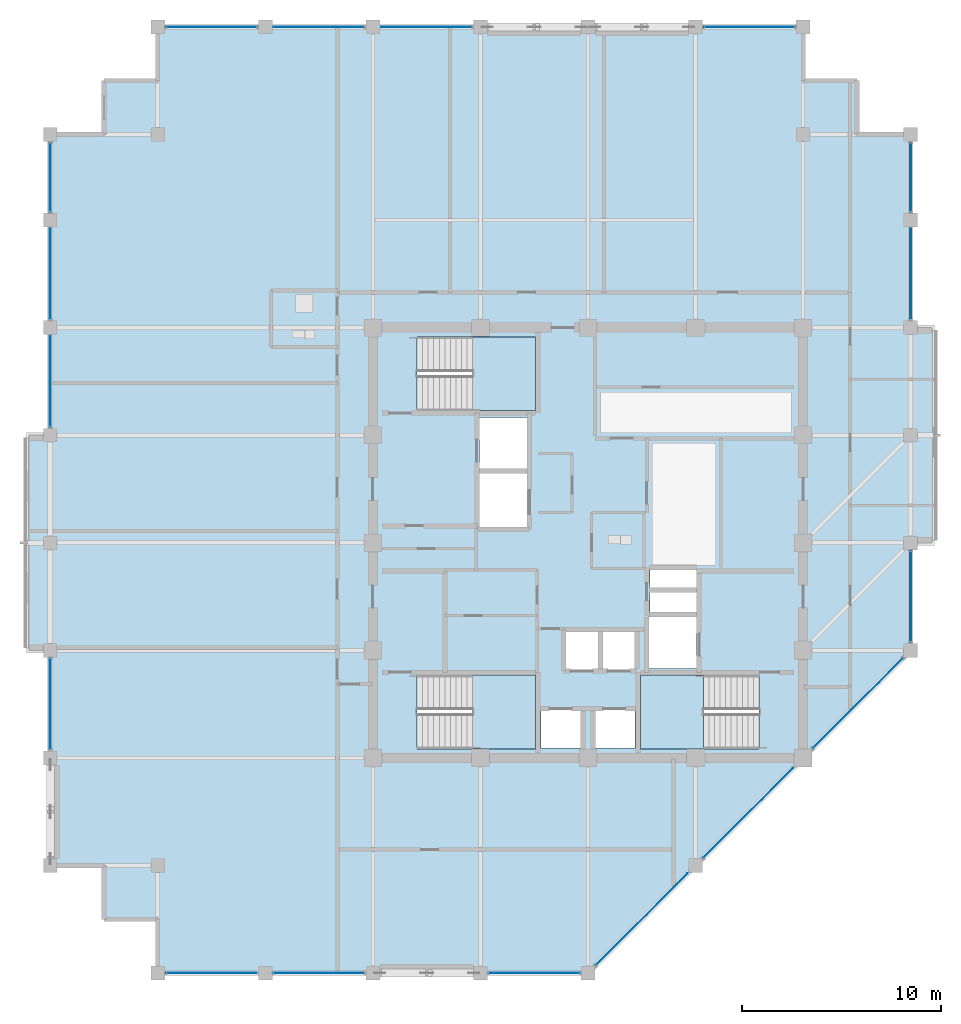
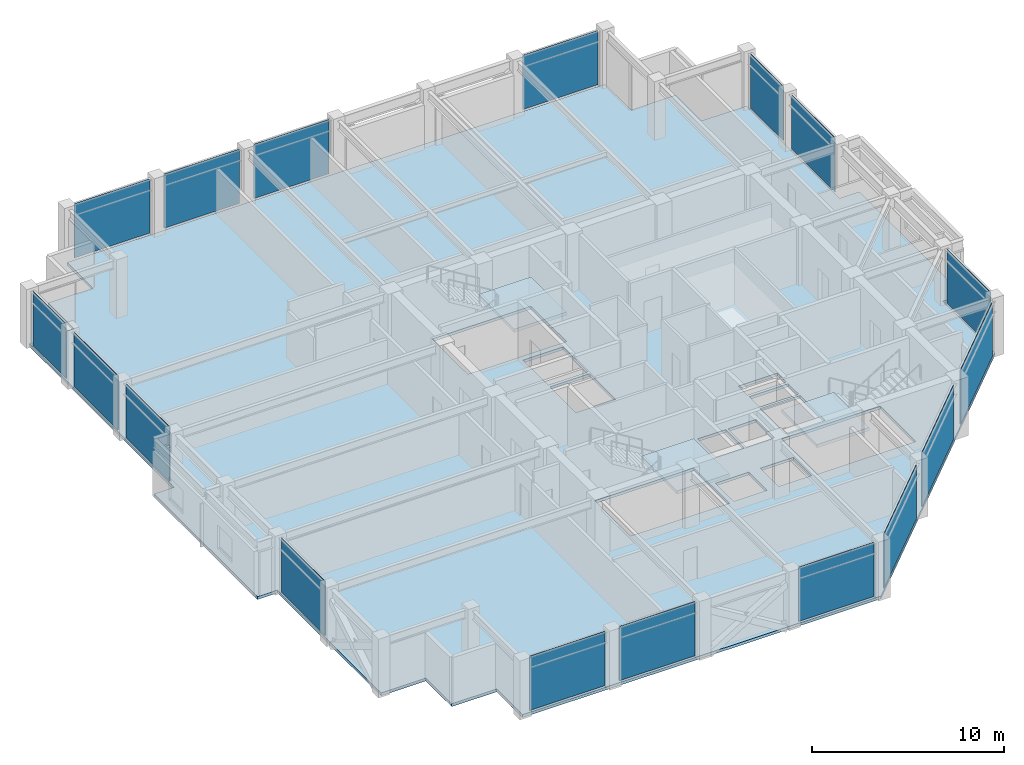
# One storey, part 20 of 29: 17 plates, 4 slabs, 12 elements without a shape of their own.
"""IFC4 building model written with IfcOpenShell, lengths in metres."""

from ifc_helpers import new_model, si_unit, direction, frame, frame_2d, origin, place, context, subcontext, project, spatial, polyline, rectangle, outline, extrude, material, layer, layer_set, type_object, element, aggregate, save


model = new_model("IFC4")

# Units and contexts
model_context = context("Model", 3, precision=1e-05, world=origin(), true_north=direction((0.0, 1.0)))
body_context = subcontext(model_context, "Body", "Model", "MODEL_VIEW")
ifc_project = project(units=[si_unit("LENGTHUNIT", "METRE"), si_unit("AREAUNIT", "SQUARE_METRE"), si_unit("VOLUMEUNIT", "CUBIC_METRE"), si_unit("PLANEANGLEUNIT", "RADIAN"), si_unit("MASSUNIT", "GRAM", prefix="KILO")], contexts=[model_context])

# Site, building, storey
site_placement = place(None, origin())
site = spatial("IfcSite", under=ifc_project, at=site_placement, CompositionType="ELEMENT")
building_placement = place(site_placement, origin())
building = spatial("IfcBuilding", under=site, at=building_placement, Name="Surkhivell Harbour Commons", CompositionType="ELEMENT")
storey_placement = place(building_placement, frame((0.0, 0.0, 277.5)))
storey = spatial("IfcBuildingStorey", under=building, at=storey_placement, Name="L72", CompositionType="ELEMENT", Elevation=277.5)

# Curtain wall, plates
ifc_material_1 = material(Name="Anodised pale-metal aluminium and insulated glazing", Category="aluminium")
ifc_layer_1 = layer(ifc_material_1, 0.175048828125)
ifc_layer_set_1 = layer_set([ifc_layer_1], Name="Anodised pale-metal aluminium and insulated glazing")
curtain_wall_type = type_object("IfcCurtainWallType", Name="CW-SYS-Z4", PredefinedType="NOTDEFINED", material=ifc_layer_set_1)
curtain_wall_1_placement = place(storey_placement, origin())
curtain_wall_1 = element("IfcCurtainWall", 1, at=curtain_wall_1_placement, inside=storey, type_object=curtain_wall_type, Name="L72 Curtain Wall CW-L72-E00S1", PredefinedType="NOTDEFINED")
ifc_material_2 = material(Name="Double-silver low-E laminated vision glass", Category="glass")
ifc_layer_2 = layer(ifc_material_2, 0.031982421875)
ifc_layer_set_2 = layer_set([ifc_layer_2], Name="Double-silver low-E laminated vision glass")
plate_type = type_object("IfcPlateType", Name="CWP-GLZ-32", PredefinedType="CURTAIN_PANEL", material=ifc_layer_set_2)
plate_1_placement = place(storey_placement, frame((-21.173095703125, -21.60009765625, 0.1298828125), z_axis=(0.0, 0.0, 1.0), x_axis=(1.0, 0.0, 0.0)))
plate_1 = element("IfcPlate", 2, at=plate_1_placement, type_object=plate_type, Name="CW-Z4 panel 1.1", PredefinedType="CURTAIN_PANEL", context=body_context, shape_type="SweptSolid", body=[
    extrude(rectangle(XDim=4.546142578125, YDim=0.031982421875, at=frame_2d((2.27294921875, 0.0))), origin(), (0.0, 0.0, 1.0), 3.440185546875),
])
plate_2_placement = place(storey_placement, frame((-15.77294921875, -21.60009765625, 0.1298828125), z_axis=(0.0, 0.0, 1.0), x_axis=(1.0, 0.0, 0.0)))
plate_2 = element("IfcPlate", 3, at=plate_2_placement, type_object=plate_type, Name="CW-Z4 panel 2.1", PredefinedType="CURTAIN_PANEL", context=body_context, shape_type="SweptSolid", body=[
    extrude(rectangle(XDim=4.5458984375, YDim=0.031982421875, at=frame_2d((2.27294921875, 0.0))), origin(), (0.0, 0.0, 1.0), 3.440185546875),
])
aggregate(curtain_wall_1, [plate_1, plate_2])

# Curtain wall, plate
curtain_wall_2_placement = place(storey_placement, origin())
curtain_wall_2 = element("IfcCurtainWall", 4, at=curtain_wall_2_placement, inside=storey, type_object=curtain_wall_type, Name="L72 Curtain Wall CW-L72-E00S2", PredefinedType="NOTDEFINED")
plate_3_placement = place(storey_placement, frame((-4.972900390625, -21.60009765625, 0.1298828125), z_axis=(0.0, 0.0, 1.0), x_axis=(1.0, 0.0, 0.0)))
plate_3 = element("IfcPlate", 5, at=plate_3_placement, type_object=plate_type, Name="CW-Z4 panel 1.1", PredefinedType="CURTAIN_PANEL", context=body_context, shape_type="SweptSolid", body=[
    extrude(rectangle(XDim=4.5458984375, YDim=0.031982421875, at=frame_2d((2.27294921875, 0.0))), origin(), (0.0, 0.0, 1.0), 3.440185546875),
])
aggregate(curtain_wall_2, [plate_3])

# Curtain wall, plates
curtain_wall_3_placement = place(storey_placement, origin())
curtain_wall_3 = element("IfcCurtainWall", 6, at=curtain_wall_3_placement, inside=storey, type_object=curtain_wall_type, Name="L72 Curtain Wall CW-L72-E01", PredefinedType="NOTDEFINED")
plate_4_placement = place(storey_placement, frame((0.404541015625, -21.1953125, 0.1298828125), z_axis=(0.0, 0.0, 1.0), x_axis=(0.707125583467, 0.707087978406, 0.0)))
plate_4 = element("IfcPlate", 7, at=plate_4_placement, type_object=plate_type, Name="CW-Z4 panel 1.1", PredefinedType="CURTAIN_PANEL", context=body_context, shape_type="SweptSolid", body=[
    extrude(rectangle(XDim=6.4921875, YDim=0.031982421875, at=frame_2d((3.24609375, 0.0))), origin(), (0.0, 0.0, 1.0), 3.440185546875),
])
plate_5_placement = place(storey_placement, frame((5.8046875, -15.79541015625, 0.1298828125), z_axis=(0.0, 0.0, 1.0), x_axis=(0.707106781187, 0.707106781187, 0.0)))
plate_5 = element("IfcPlate", 8, at=plate_5_placement, type_object=plate_type, Name="CW-Z4 panel 2.1", PredefinedType="CURTAIN_PANEL", context=body_context, shape_type="SweptSolid", body=[
    extrude(rectangle(XDim=6.350830078125, YDim=0.031982421875, at=frame_2d((3.17529296875, 0.0))), origin(), (0.0, 0.0, 1.0), 3.440185546875),
])
plate_6_placement = place(storey_placement, frame((11.3046875, -10.29541015625, 0.1298828125), z_axis=(0.0, 0.0, 1.0), x_axis=(0.707106781187, 0.707106781187, 0.0)))
plate_6 = element("IfcPlate", 9, at=plate_6_placement, type_object=plate_type, Name="CW-Z4 panel 3.1", PredefinedType="CURTAIN_PANEL", context=body_context, shape_type="SweptSolid", body=[
    extrude(rectangle(XDim=6.350830078125, YDim=0.031982421875, at=frame_2d((3.17529296875, 0.0))), origin(), (0.0, 0.0, 1.0), 3.440185546875),
])
aggregate(curtain_wall_3, [plate_4, plate_5, plate_6])

# Curtain wall, plate
curtain_wall_4_placement = place(storey_placement, origin())
curtain_wall_4 = element("IfcCurtainWall", 10, at=curtain_wall_4_placement, inside=storey, type_object=curtain_wall_type, Name="L72 Curtain Wall CW-L72-E02R1", PredefinedType="NOTDEFINED")
plate_7_placement = place(storey_placement, frame((16.199951171875, -4.972900390625, 0.1298828125), z_axis=(0.0, 0.0, 1.0), x_axis=(0.0, 1.0, 0.0)))
plate_7 = element("IfcPlate", 11, at=plate_7_placement, type_object=plate_type, Name="CW-Z4 panel 1.1", PredefinedType="CURTAIN_PANEL", context=body_context, shape_type="SweptSolid", body=[
    extrude(rectangle(XDim=4.5458984375, YDim=0.031982421875, at=frame_2d((2.27294921875, 0.0))), origin(), (0.0, 0.0, 1.0), 3.440185546875),
])
aggregate(curtain_wall_4, [plate_7])

# Curtain wall, plates
curtain_wall_5_placement = place(storey_placement, origin())
curtain_wall_5 = element("IfcCurtainWall", 12, at=curtain_wall_5_placement, inside=storey, type_object=curtain_wall_type, Name="L72 Curtain Wall CW-L72-E02R2", PredefinedType="NOTDEFINED")
plate_8_placement = place(storey_placement, frame((16.199951171875, 11.22705078125, 0.1298828125), z_axis=(0.0, 0.0, 1.0), x_axis=(0.0, 1.0, 0.0)))
plate_8 = element("IfcPlate", 13, at=plate_8_placement, type_object=plate_type, Name="CW-Z4 panel 1.1", PredefinedType="CURTAIN_PANEL", context=body_context, shape_type="SweptSolid", body=[
    extrude(rectangle(XDim=4.5458984375, YDim=0.031982421875, at=frame_2d((2.27294921875, 0.0))), origin(), (0.0, 0.0, 1.0), 3.440185546875),
])
plate_9_placement = place(storey_placement, frame((16.199951171875, 16.626953125, 0.1298828125), z_axis=(0.0, 0.0, 1.0), x_axis=(0.0, 1.0, 0.0)))
plate_9 = element("IfcPlate", 14, at=plate_9_placement, type_object=plate_type, Name="CW-Z4 panel 2.1", PredefinedType="CURTAIN_PANEL", context=body_context, shape_type="SweptSolid", body=[
    extrude(rectangle(XDim=3.446044921875, YDim=0.031982421875, at=frame_2d((1.72314453125, 0.0))), origin(), (0.0, 0.0, 1.0), 3.440185546875),
])
aggregate(curtain_wall_5, [plate_8, plate_9])

# Curtain wall, plate
curtain_wall_6_placement = place(storey_placement, origin())
curtain_wall_6 = element("IfcCurtainWall", 15, at=curtain_wall_6_placement, inside=storey, type_object=curtain_wall_type, Name="L72 Curtain Wall CW-L72-E07S1", PredefinedType="NOTDEFINED")
plate_10_placement = place(storey_placement, frame((10.373046875, 25.89990234375, 0.1298828125), z_axis=(0.0, 0.0, 1.0), x_axis=(-1.0, 0.0, 0.0)))
plate_10 = element("IfcPlate", 16, at=plate_10_placement, type_object=plate_type, Name="CW-Z4 panel 1.1", PredefinedType="CURTAIN_PANEL", context=body_context, shape_type="SweptSolid", body=[
    extrude(rectangle(XDim=4.546142578125, YDim=0.031982421875, at=frame_2d((2.27294921875, 0.0))), origin(), (0.0, 0.0, 1.0), 3.440185546875),
])
aggregate(curtain_wall_6, [plate_10])

# Curtain wall, plates
curtain_wall_7_placement = place(storey_placement, origin())
curtain_wall_7 = element("IfcCurtainWall", 17, at=curtain_wall_7_placement, inside=storey, type_object=curtain_wall_type, Name="L72 Curtain Wall CW-L72-E07S2", PredefinedType="NOTDEFINED")
plate_11_placement = place(storey_placement, frame((-5.826904296875, 25.89990234375, 0.1298828125), z_axis=(0.0, 0.0, 1.0), x_axis=(-1.0, 0.0, 0.0)))
plate_11 = element("IfcPlate", 18, at=plate_11_placement, type_object=plate_type, Name="CW-Z4 panel 1.1", PredefinedType="CURTAIN_PANEL", context=body_context, shape_type="SweptSolid", body=[
    extrude(rectangle(XDim=4.546142578125, YDim=0.031982421875, at=frame_2d((2.27294921875, 0.0))), origin(), (0.0, 0.0, 1.0), 3.440185546875),
])
plate_12_placement = place(storey_placement, frame((-11.22705078125, 25.89990234375, 0.1298828125), z_axis=(0.0, 0.0, 1.0), x_axis=(-1.0, 0.0, 0.0)))
plate_12 = element("IfcPlate", 19, at=plate_12_placement, type_object=plate_type, Name="CW-Z4 panel 2.1", PredefinedType="CURTAIN_PANEL", context=body_context, shape_type="SweptSolid", body=[
    extrude(rectangle(XDim=4.5458984375, YDim=0.031982421875, at=frame_2d((2.27294921875, 0.0))), origin(), (0.0, 0.0, 1.0), 3.440185546875),
])
plate_13_placement = place(storey_placement, frame((-16.626953125, 25.89990234375, 0.1298828125), z_axis=(0.0, 0.0, 1.0), x_axis=(-1.0, 0.0, 0.0)))
plate_13 = element("IfcPlate", 20, at=plate_13_placement, type_object=plate_type, Name="CW-Z4 panel 3.1", PredefinedType="CURTAIN_PANEL", context=body_context, shape_type="SweptSolid", body=[
    extrude(rectangle(XDim=4.546142578125, YDim=0.031982421875, at=frame_2d((2.27294921875, 0.0))), origin(), (0.0, 0.0, 1.0), 3.440185546875),
])
aggregate(curtain_wall_7, [plate_11, plate_12, plate_13])

# Curtain wall, plate
curtain_wall_8_placement = place(storey_placement, origin())
curtain_wall_8 = element("IfcCurtainWall", 21, at=curtain_wall_8_placement, inside=storey, type_object=curtain_wall_type, Name="L72 Curtain Wall CW-L72-E12R1S1", PredefinedType="NOTDEFINED")
plate_14_placement = place(storey_placement, frame((-27.0, -10.373046875, 0.1298828125), z_axis=(0.0, 0.0, 1.0), x_axis=(0.0, 1.0, 0.0)))
plate_14 = element("IfcPlate", 22, at=plate_14_placement, type_object=plate_type, Name="CW-Z4 panel 1.1", PredefinedType="CURTAIN_PANEL", context=body_context, shape_type="SweptSolid", body=[
    extrude(rectangle(XDim=4.546142578125, YDim=0.031982421875, at=frame_2d((2.27294921875, 0.0))), origin(), (0.0, 0.0, 1.0), 3.440185546875),
])
aggregate(curtain_wall_8, [plate_14])

# Curtain wall, plates
curtain_wall_9_placement = place(storey_placement, origin())
curtain_wall_9 = element("IfcCurtainWall", 23, at=curtain_wall_9_placement, inside=storey, type_object=curtain_wall_type, Name="L72 Curtain Wall CW-L72-E12R2", PredefinedType="NOTDEFINED")
plate_15_placement = place(storey_placement, frame((-27.0, 5.826904296875, 0.1298828125), z_axis=(0.0, 0.0, 1.0), x_axis=(0.0, 1.0, 0.0)))
plate_15 = element("IfcPlate", 24, at=plate_15_placement, type_object=plate_type, Name="CW-Z4 panel 1.1", PredefinedType="CURTAIN_PANEL", context=body_context, shape_type="SweptSolid", body=[
    extrude(rectangle(XDim=4.546142578125, YDim=0.031982421875, at=frame_2d((2.27294921875, 0.0))), origin(), (0.0, 0.0, 1.0), 3.440185546875),
])
plate_16_placement = place(storey_placement, frame((-27.0, 11.22705078125, 0.1298828125), z_axis=(0.0, 0.0, 1.0), x_axis=(0.0, 1.0, 0.0)))
plate_16 = element("IfcPlate", 25, at=plate_16_placement, type_object=plate_type, Name="CW-Z4 panel 2.1", PredefinedType="CURTAIN_PANEL", context=body_context, shape_type="SweptSolid", body=[
    extrude(rectangle(XDim=4.5458984375, YDim=0.031982421875, at=frame_2d((2.27294921875, 0.0))), origin(), (0.0, 0.0, 1.0), 3.440185546875),
])
plate_17_placement = place(storey_placement, frame((-27.0, 16.626953125, 0.1298828125), z_axis=(0.0, 0.0, 1.0), x_axis=(0.0, 1.0, 0.0)))
plate_17 = element("IfcPlate", 26, at=plate_17_placement, type_object=plate_type, Name="CW-Z4 panel 3.1", PredefinedType="CURTAIN_PANEL", context=body_context, shape_type="SweptSolid", body=[
    extrude(rectangle(XDim=3.446044921875, YDim=0.031982421875, at=frame_2d((1.72314453125, 0.0))), origin(), (0.0, 0.0, 1.0), 3.440185546875),
])
aggregate(curtain_wall_9, [plate_15, plate_16, plate_17])

# Stair, slab
ifc_material_3 = material(Name="Precast concrete C45/55", Category="concrete")
stair_type = type_object("IfcStairType", Name="STR-DL-375", PredefinedType="HALF_TURN_STAIR", material=ifc_material_3)
stair_1_placement = place(storey_placement, origin())
stair_1 = element("IfcStair", 27, at=stair_1_placement, inside=storey, type_object=stair_type, Name="L72 Core Exit Stair ST1", PredefinedType="HALF_TURN_STAIR")
ifc_material_4 = material(Name="Reinforced concrete C45/55", Category="concrete")
ifc_layer_3 = layer(ifc_material_4, 0.199951171875)
ifc_layer_set_3 = layer_set([ifc_layer_3], Name="Reinforced concrete C45/55")
slab_type_1 = type_object("IfcSlabType", Name="SLB-ST-LND200", PredefinedType="LANDING", material=ifc_layer_set_3)
slab_1_placement = place(storey_placement, frame((0.0, 0.0, 1.675048828125)))
slab_1 = element("IfcSlab", 28, at=slab_1_placement, type_object=slab_type_1, Name="ST1 landing 1", PredefinedType="LANDING", context=body_context, shape_type="SweptSolid", body=[
    extrude(outline(polyline([(-5.7900390625, 6.639892578125), (-2.639892578125, 6.639892578125), (-2.639892578125, 10.340087890625), (-5.7900390625, 10.340087890625), (-5.7900390625, 6.639892578125)])), origin(), (0.0, 0.0, 1.0), 0.199951171875),
])
aggregate(stair_1, [slab_1])

stair_2_placement = place(storey_placement, origin())
stair_2 = element("IfcStair", 29, at=stair_2_placement, inside=storey, type_object=stair_type, Name="L72 Core Exit Stair ST2", PredefinedType="HALF_TURN_STAIR")
slab_2_placement = place(storey_placement, frame((0.0, 0.0, 1.675048828125)))
slab_2 = element("IfcSlab", 30, at=slab_2_placement, type_object=slab_type_1, Name="ST2 landing 1", PredefinedType="LANDING", context=body_context, shape_type="SweptSolid", body=[
    extrude(outline(polyline([(5.7900390625, -6.639892578125), (2.639892578125, -6.639892578125), (2.639892578125, -10.340087890625), (5.7900390625, -10.340087890625), (5.7900390625, -6.639892578125)])), origin(), (0.0, 0.0, 1.0), 0.199951171875),
])
aggregate(stair_2, [slab_2])

stair_3_placement = place(storey_placement, origin())
stair_3 = element("IfcStair", 31, at=stair_3_placement, inside=storey, type_object=stair_type, Name="L72 Core Exit Stair ST3", PredefinedType="HALF_TURN_STAIR")
slab_3_placement = place(storey_placement, frame((0.0, 0.0, 1.675048828125)))
slab_3 = element("IfcSlab", 32, at=slab_3_placement, type_object=slab_type_1, Name="ST3 landing 1", PredefinedType="LANDING", context=body_context, shape_type="SweptSolid", body=[
    extrude(outline(polyline([(-5.7900390625, -10.340087890625), (-2.639892578125, -10.340087890625), (-2.639892578125, -6.639892578125), (-5.7900390625, -6.639892578125), (-5.7900390625, -10.340087890625)])), origin(), (0.0, 0.0, 1.0), 0.199951171875),
])
aggregate(stair_3, [slab_3])

# Slab
ifc_material_5 = material(Name="Concrete C45/55", Category="concrete")
ifc_layer_4 = layer(ifc_material_5, 0.179931640625)
ifc_layer_set_4 = layer_set([ifc_layer_4], Name="Concrete C45/55")
slab_type_2 = type_object("IfcSlabType", Name="SLB-TYP-180", PredefinedType="FLOOR", material=ifc_layer_set_4)
slab_4_placement = place(storey_placement, frame((0.0, 0.0, -0.179931640625)))
element("IfcSlab", 33, at=slab_4_placement, inside=storey, type_object=slab_type_2, Name="L72 Structural Floor Slab", PredefinedType="FLOOR", context=body_context, shape_type="SweptSolid", body=[
    extrude(outline(polyline([(-27.0, 20.5), (-27.0, 5.39990234375), (-28.199951171875, 5.39990234375), (-28.199951171875, -5.39990234375), (-27.0, -5.39990234375), (-27.0, -16.199951171875), (-24.300048828125, -16.199951171875), (-24.300048828125, -18.89990234375), (-21.60009765625, -18.89990234375), (-21.60009765625, -21.60009765625), (0.0, -21.60009765625), (16.199951171875, -5.39990234375), (16.199951171875, 0.0), (17.39990234375, 0.0), (17.39990234375, 10.800048828125), (16.199951171875, 10.800048828125), (16.199951171875, 20.5), (13.5, 20.5), (13.5, 23.199951171875), (10.800048828125, 23.199951171875), (10.800048828125, 25.89990234375), (-21.60009765625, 25.89990234375), (-21.60009765625, 23.199951171875), (-24.300048828125, 23.199951171875), (-24.300048828125, 20.5), (-27.0, 20.5)]), holes=[polyline([(-8.590087890625, 6.639892578125), (-2.639892578125, 6.639892578125), (-2.639892578125, 10.340087890625), (-8.590087890625, 10.340087890625), (-8.590087890625, 6.639892578125)]), polyline([(8.590087890625, -6.639892578125), (2.639892578125, -6.639892578125), (2.639892578125, -10.340087890625), (8.590087890625, -10.340087890625), (8.590087890625, -6.639892578125)]), polyline([(-8.590087890625, -10.340087890625), (-2.639892578125, -10.340087890625), (-2.639892578125, -6.639892578125), (-8.590087890625, -6.639892578125), (-8.590087890625, -10.340087890625)]), polyline([(-1.14990234375, -6.35009765625), (0.550048828125, -6.35009765625), (0.550048828125, -4.449951171875), (-1.14990234375, -4.449951171875), (-1.14990234375, -6.35009765625)]), polyline([(0.679931640625, -6.35009765625), (2.3798828125, -6.35009765625), (2.3798828125, -4.449951171875), (0.679931640625, -4.449951171875), (0.679931640625, -6.35009765625)]), polyline([(-2.35009765625, -10.300048828125), (-0.35009765625, -10.300048828125), (-0.35009765625, -8.39990234375), (-2.35009765625, -8.39990234375), (-2.35009765625, -10.300048828125)]), polyline([(0.35009765625, -10.300048828125), (2.35009765625, -10.300048828125), (2.35009765625, -8.39990234375), (0.35009765625, -8.39990234375), (0.35009765625, -10.300048828125)]), polyline([(-5.449951171875, 3.699951171875), (-3.050048828125, 3.699951171875), (-3.050048828125, 6.300048828125), (-5.449951171875, 6.300048828125), (-5.449951171875, 3.699951171875)]), polyline([(3.050048828125, -6.300048828125), (5.449951171875, -6.300048828125), (5.449951171875, -3.699951171875), (3.050048828125, -3.699951171875), (3.050048828125, -6.300048828125)]), polyline([(-5.449951171875, 0.800048828125), (-3.050048828125, 0.800048828125), (-3.050048828125, 3.5), (-5.449951171875, 3.5), (-5.449951171875, 0.800048828125)]), polyline([(3.10009765625, -3.550048828125), (5.449951171875, -3.550048828125), (5.449951171875, -2.47998046875), (3.10009765625, -2.47998046875), (3.10009765625, -3.550048828125)]), polyline([(3.10009765625, -2.280029296875), (5.449951171875, -2.280029296875), (5.449951171875, -1.35009765625), (3.10009765625, -1.35009765625), (3.10009765625, -2.280029296875)])]), origin(), (0.0, 0.0, 1.0), 0.179931640625),
])

save(model, "model.ifc")
